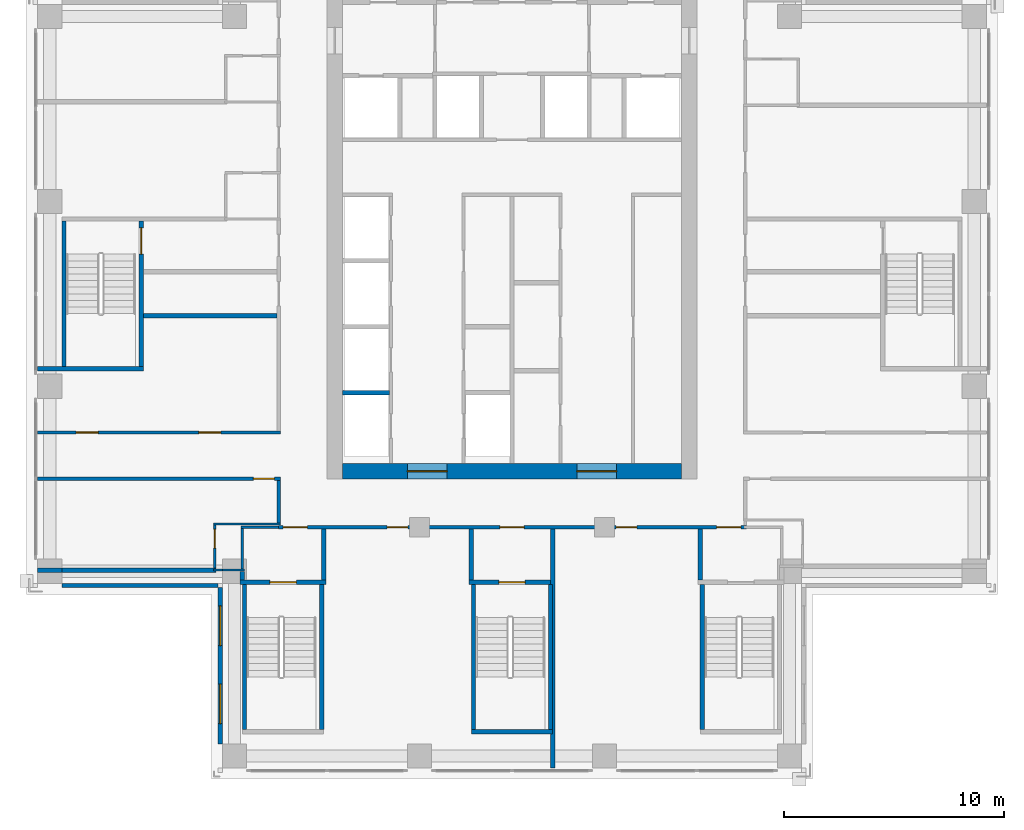
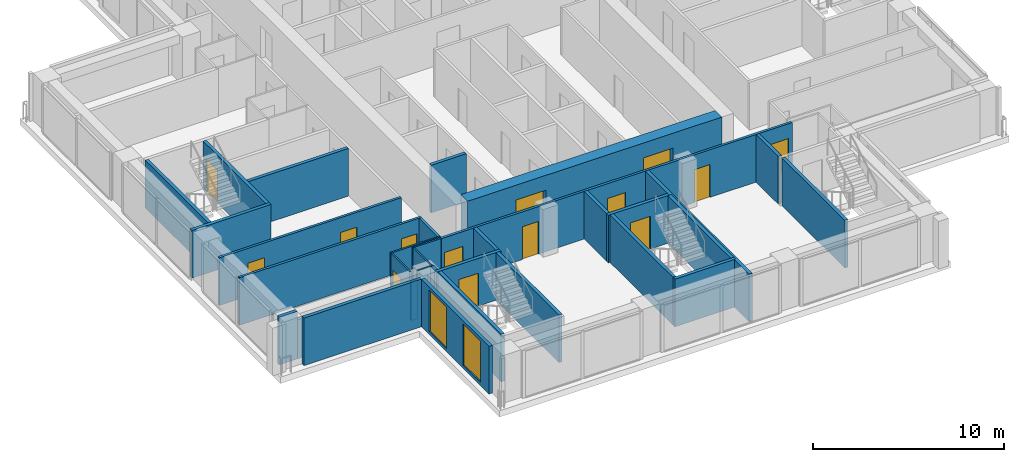
# One storey, part 9 of 16: 33 walls, 14 doors, 2 windows, 16 openings.
"""IFC4 building model written with IfcOpenShell, lengths in metres."""

from ifc_helpers import new_model, si_unit, direction, frame, frame_2d, origin, place, context, subcontext, project, spatial, rectangle, extrude, material, layer, layer_set, type_object, element, fill, save


model = new_model("IFC4")

# Units and contexts
model_context = context("Model", 3, precision=1e-05, world=origin(), true_north=direction((0.0, 1.0)))
body_context = subcontext(model_context, "Body", "Model", "MODEL_VIEW")
ifc_project = project(units=[si_unit("LENGTHUNIT", "METRE"), si_unit("AREAUNIT", "SQUARE_METRE"), si_unit("VOLUMEUNIT", "CUBIC_METRE"), si_unit("PLANEANGLEUNIT", "RADIAN"), si_unit("MASSUNIT", "GRAM", prefix="KILO")], contexts=[model_context])

# Site, building, storey
site_placement = place(None, origin())
site = spatial("IfcSite", under=ifc_project, at=site_placement, CompositionType="ELEMENT")
building_placement = place(site_placement, origin())
building = spatial("IfcBuilding", under=site, at=building_placement, Name="Vermilion Ogive Tower", CompositionType="ELEMENT")
storey_placement = place(building_placement, frame((0.0, 0.0, 160.699951171875)))
storey = spatial("IfcBuildingStorey", under=building, at=storey_placement, Name="L41", CompositionType="ELEMENT", Elevation=160.699951171875)

# Wall, openings, doors
ifc_material_1 = material(Name="Concrete B60", Category="concrete")
ifc_layer_1 = layer(ifc_material_1, 0.699951171875)
ifc_layer_set_1 = layer_set([ifc_layer_1], Name="Core wall 700 B60")
wall_type_1 = type_object("IfcWallType", Name="Core wall 700 B60", PredefinedType="SHEAR", material=ifc_layer_set_1)
wall_1_placement = place(storey_placement, frame((-7.699951171875, -8.050048828125, -0.39990234375), z_axis=(0.0, 0.0, 1.0), x_axis=(1.0, 0.0, 0.0)))
wall_1 = element("IfcWall", 1, at=wall_1_placement, inside=storey, type_object=wall_type_1, Name="L41-CORE-S", PredefinedType="SHEAR", context=body_context, shape_type="SweptSolid", body=[
    extrude(rectangle(XDim=15.39990234375, YDim=0.699951171875, at=frame_2d((7.699951171875, 0.0))), origin(), (0.0, 0.0, 1.0), 3.449951171875),
])
opening_1_placement = place(wall_1_placement, frame((2.949951171875, 0.0, 0.39990234375)))
opening_1 = element("IfcOpeningElement", 2, at=opening_1_placement, cuts=wall_1, Name="Opening DAH031", PredefinedType="OPENING", context=body_context, shape_type="SweptSolid", body=[
    extrude(rectangle(XDim=1.800048828125, YDim=2.10009765625, at=frame_2d((0.89990234375, 1.050048828125))), frame((0.0, 0.35986328125, 0.0), z_axis=(0.0, -1.0, 0.0), x_axis=(1.0, 0.0, 0.0)), (0.0, 0.0, 1.0), 0.719970703125),
])
opening_2_placement = place(wall_1_placement, frame((10.64990234375, 0.0, 0.39990234375)))
opening_2 = element("IfcOpeningElement", 3, at=opening_2_placement, cuts=wall_1, Name="Opening DAH032", PredefinedType="OPENING", context=body_context, shape_type="SweptSolid", body=[
    extrude(rectangle(XDim=1.800048828125, YDim=2.10009765625, at=frame_2d((0.89990234375, 1.050048828125))), frame((0.0, 0.35986328125, 0.0), z_axis=(0.0, -1.0, 0.0), x_axis=(1.0, 0.0, 0.0)), (0.0, 0.0, 1.0), 0.719970703125),
])
ifc_material_2 = material(Name="Timber door leaf", Category="wood")
door_type_1 = type_object("IfcDoorType", Name="Core entry door 1800 x 2100 FD60S", OperationType="DOUBLE_DOOR_SINGLE_SWING", PredefinedType="DOOR", material=ifc_material_2)
door_1_placement = place(opening_1_placement, origin())
door_1 = element("IfcDoor", 4, at=door_1_placement, inside=storey, type_object=door_type_1, Name="L41-CK-XD1", OperationType="SINGLE_SWING_LEFT", OverallHeight=2.10009765625, OverallWidth=1.800048828125, PredefinedType="DOOR", context=body_context, shape_type="SweptSolid", body=[
    extrude(rectangle(XDim=1.800048828125, YDim=2.10009765625, at=frame_2d((0.89990234375, 1.050048828125))), frame((0.0, 0.02490234375, 0.0), z_axis=(0.0, -1.0, 0.0), x_axis=(1.0, 0.0, 0.0)), (0.0, 0.0, 1.0), 0.050048828125),
])
fill(opening_1, door_1)
door_2_placement = place(opening_2_placement, origin())
door_2 = element("IfcDoor", 5, at=door_2_placement, inside=storey, type_object=door_type_1, Name="L41-CK-XD2", OperationType="SINGLE_SWING_LEFT", OverallHeight=2.10009765625, OverallWidth=1.800048828125, PredefinedType="DOOR", context=body_context, shape_type="SweptSolid", body=[
    extrude(rectangle(XDim=1.800048828125, YDim=2.10009765625, at=frame_2d((0.89990234375, 1.050048828125))), frame((0.0, 0.02490234375, 0.0), z_axis=(0.0, -1.0, 0.0), x_axis=(1.0, 0.0, 0.0)), (0.0, 0.0, 1.0), 0.050048828125),
])
fill(opening_2, door_2)

# Walls
ifc_material_3 = material(Name="Gypsum board partition on steel studs", Category="steel")
ifc_layer_2 = layer(ifc_material_3, 0.10009765625)
ifc_layer_set_2 = layer_set([ifc_layer_2], Name="Partition 100 bath")
wall_type_2 = type_object("IfcWallType", Name="Partition 100 bath", PredefinedType="PARTITIONING", material=ifc_layer_set_2)
wall_2_placement = place(storey_placement, frame((-13.550048828125, -12.550048828125, 0.0), z_axis=(0.0, 0.0, 1.0), x_axis=(1.0, 0.0, 0.0)))
element("IfcWall", 6, at=wall_2_placement, inside=storey, type_object=wall_type_2, Name="L41-W-W008", PredefinedType="PARTITIONING", context=body_context, shape_type="SweptSolid", body=[
    extrude(rectangle(XDim=0.400146484375, YDim=0.10009765625, at=frame_2d((0.2001953125, 0.0))), origin(), (0.0, 0.0, 1.0), 2.5),
])
wall_3_placement = place(storey_placement, frame((-12.300048828125, -10.60009765625, 0.0), z_axis=(0.0, 0.0, 1.0), x_axis=(1.0, 0.0, 0.0)))
element("IfcWall", 7, at=wall_3_placement, inside=storey, type_object=wall_type_2, Name="L41-W-W011", PredefinedType="PARTITIONING", context=body_context, shape_type="SweptSolid", body=[
    extrude(rectangle(XDim=1.699951171875, YDim=0.10009765625, at=frame_2d((0.85009765625, 0.0))), origin(), (0.0, 0.0, 1.0), 3.050048828125),
])
wall_4_placement = place(storey_placement, frame((-13.550048828125, -10.449951171875, 0.0), z_axis=(0.0, 0.0, 1.0), x_axis=(1.0, 0.0, 0.0)))
element("IfcWall", 8, at=wall_4_placement, inside=storey, type_object=wall_type_2, Name="L41-W-W014", PredefinedType="PARTITIONING", context=body_context, shape_type="SweptSolid", body=[
    extrude(rectangle(XDim=3.025146484375, YDim=0.10009765625, at=frame_2d((1.5126953125, 0.0))), origin(), (0.0, 0.0, 1.0), 3.050048828125),
])

# Wall, opening, door
wall_5_placement = place(storey_placement, frame((-13.5, -12.449951171875, 0.0), z_axis=(0.0, 0.0, 1.0), x_axis=(0.0, 1.0, 0.0)))
wall_5 = element("IfcWall", 9, at=wall_5_placement, inside=storey, type_object=wall_type_2, Name="L41-W-W042", PredefinedType="PARTITIONING", context=body_context, shape_type="SweptSolid", body=[
    extrude(rectangle(XDim=1.949951171875, YDim=0.10009765625, at=frame_2d((0.97509765625, 0.0))), origin(), (0.0, 0.0, 1.0), 3.050048828125),
])
opening_3_placement = place(wall_5_placement, frame((0.89990234375, 0.0, 0.0)))
opening_3 = element("IfcOpeningElement", 10, at=opening_3_placement, cuts=wall_5, Name="Opening D3G4002", PredefinedType="OPENING", context=body_context, shape_type="SweptSolid", body=[
    extrude(rectangle(XDim=0.85009765625, YDim=2.10009765625, at=frame_2d((0.425048828125, 1.050048828125))), frame((0.0, 0.06005859375, 0.0), z_axis=(0.0, -1.0, 0.0), x_axis=(1.0, 0.0, 0.0)), (0.0, 0.0, 1.0), 0.1201171875),
])
ifc_material_4 = material(Name="Timber door leaf", Category="wood")
door_type_2 = type_object("IfcDoorType", Name="Bath door 850 x 2100 FD30", OperationType="SINGLE_SWING_LEFT", PredefinedType="DOOR", material=ifc_material_4)
door_3_placement = place(opening_3_placement, origin())
door_3 = element("IfcDoor", 11, at=door_3_placement, inside=storey, type_object=door_type_2, Name="L41-D-D002", OperationType="SINGLE_SWING_RIGHT", OverallHeight=2.10009765625, OverallWidth=0.85009765625, PredefinedType="DOOR", context=body_context, shape_type="SweptSolid", body=[
    extrude(rectangle(XDim=0.85009765625, YDim=2.10009765625, at=frame_2d((0.425048828125, 1.050048828125))), frame((0.0, 0.02490234375, 0.0), z_axis=(0.0, -1.0, 0.0), x_axis=(1.0, 0.0, 0.0)), (0.0, 0.0, 1.0), 0.050048828125),
])
fill(opening_3, door_3)

# Walls
wall_6_placement = place(storey_placement, frame((-12.25, -12.5, 0.0), z_axis=(0.0, 0.0, 1.0), x_axis=(0.0, 1.0, 0.0)))
element("IfcWall", 12, at=wall_6_placement, inside=storey, type_object=wall_type_2, Name="L41-W-W046", PredefinedType="PARTITIONING", context=body_context, shape_type="SweptSolid", body=[
    extrude(rectangle(XDim=1.85009765625, YDim=0.10009765625, at=frame_2d((0.925048828125, 0.0))), origin(), (0.0, 0.0, 1.0), 3.050048828125),
])
wall_7_placement = place(storey_placement, frame((-13.14990234375, -12.550048828125, 0.0), z_axis=(0.0, 0.0, 1.0), x_axis=(1.0, 0.0, 0.0)))
element("IfcWall", 13, at=wall_7_placement, inside=storey, type_object=wall_type_2, Name="L41-W-W008-h1", PredefinedType="PARTITIONING", context=body_context, shape_type="SweptSolid", body=[
    extrude(rectangle(XDim=0.997802734375, YDim=0.10009765625, at=frame_2d((0.4990234375, 0.0))), origin(), (0.0, 0.0, 1.0), 3.050048828125),
])

# Wall, openings, doors
ifc_material_5 = material(Name="Gypsum board partition on steel studs", Category="steel")
ifc_layer_3 = layer(ifc_material_5, 0.14990234375)
ifc_layer_set_3 = layer_set([ifc_layer_3], Name="Partition 150 corridor")
wall_type_3 = type_object("IfcWallType", Name="Partition 150 corridor", PredefinedType="PARTITIONING", material=ifc_layer_set_3)
wall_8_placement = place(storey_placement, frame((-10.60009765625, -10.60009765625, 0.0), z_axis=(0.0, 0.0, 1.0), x_axis=(1.0, 0.0, 0.0)))
wall_8 = element("IfcWall", 14, at=wall_8_placement, inside=storey, type_object=wall_type_3, Name="L41-W-W012", PredefinedType="PARTITIONING", context=body_context, shape_type="SweptSolid", body=[
    extrude(rectangle(XDim=21.25, YDim=0.14990234375, at=frame_2d((10.625, 0.0))), origin(), (0.0, 0.0, 1.0), 3.050048828125),
])
opening_4_placement = place(wall_8_placement, frame((4.925048828125, 0.0, 0.0)))
opening_4 = element("IfcOpeningElement", 15, at=opening_4_placement, cuts=wall_8, Name="Opening D3G4009", PredefinedType="OPENING", context=body_context, shape_type="SweptSolid", body=[
    extrude(rectangle(XDim=0.949951171875, YDim=2.10009765625, at=frame_2d((0.47509765625, 1.050048828125))), frame((0.0, 0.0849609375, 0.0), z_axis=(0.0, -1.0, 0.0), x_axis=(1.0, 0.0, 0.0)), (0.0, 0.0, 1.0), 0.169921875),
])
opening_5_placement = place(wall_8_placement, frame((15.3251953125, 0.0, 0.0)))
opening_5 = element("IfcOpeningElement", 16, at=opening_5_placement, cuts=wall_8, Name="Opening D3G4010", PredefinedType="OPENING", context=body_context, shape_type="SweptSolid", body=[
    extrude(rectangle(XDim=0.949951171875, YDim=2.10009765625, at=frame_2d((0.47509765625, 1.050048828125))), frame((0.0, 0.0849609375, 0.0), z_axis=(0.0, -1.0, 0.0), x_axis=(1.0, 0.0, 0.0)), (0.0, 0.0, 1.0), 0.169921875),
])
opening_6_placement = place(wall_8_placement, frame((0.2001953125, 0.0, 0.0)))
opening_6 = element("IfcOpeningElement", 17, at=opening_6_placement, cuts=wall_8, Name="Opening D3G4018", PredefinedType="OPENING", context=body_context, shape_type="SweptSolid", body=[
    extrude(rectangle(XDim=1.10009765625, YDim=2.10009765625, at=frame_2d((0.550048828125, 1.050048828125))), frame((0.0, 0.0849609375, 0.0), z_axis=(0.0, -1.0, 0.0), x_axis=(1.0, 0.0, 0.0)), (0.0, 0.0, 1.0), 0.169921875),
])
opening_7_placement = place(wall_8_placement, frame((10.050048828125, 0.0, 0.0)))
opening_7 = element("IfcOpeningElement", 18, at=opening_7_placement, cuts=wall_8, Name="Opening D3G4020", PredefinedType="OPENING", context=body_context, shape_type="SweptSolid", body=[
    extrude(rectangle(XDim=1.10009765625, YDim=2.10009765625, at=frame_2d((0.550048828125, 1.050048828125))), frame((0.0, 0.0849609375, 0.0), z_axis=(0.0, -1.0, 0.0), x_axis=(1.0, 0.0, 0.0)), (0.0, 0.0, 1.0), 0.169921875),
])
opening_8_placement = place(wall_8_placement, frame((19.900146484375, 0.0, 0.0)))
opening_8 = element("IfcOpeningElement", 19, at=opening_8_placement, cuts=wall_8, Name="Opening D3G4022", PredefinedType="OPENING", context=body_context, shape_type="SweptSolid", body=[
    extrude(rectangle(XDim=1.10009765625, YDim=2.10009765625, at=frame_2d((0.550048828125, 1.050048828125))), frame((0.0, 0.0849609375, 0.0), z_axis=(0.0, -1.0, 0.0), x_axis=(1.0, 0.0, 0.0)), (0.0, 0.0, 1.0), 0.169921875),
])
ifc_material_6 = material(Name="Timber door leaf", Category="wood")
door_type_3 = type_object("IfcDoorType", Name="Stair door 1100 x 2100 FD60S", OperationType="SINGLE_SWING_LEFT", PredefinedType="DOOR", material=ifc_material_6)
door_4_placement = place(opening_6_placement, origin())
door_4 = element("IfcDoor", 20, at=door_4_placement, inside=storey, type_object=door_type_3, Name="L41-D-D018", OperationType="SINGLE_SWING_RIGHT", OverallHeight=2.10009765625, OverallWidth=1.10009765625, PredefinedType="DOOR", context=body_context, shape_type="SweptSolid", body=[
    extrude(rectangle(XDim=1.10009765625, YDim=2.10009765625, at=frame_2d((0.550048828125, 1.050048828125))), frame((0.0, 0.02490234375, 0.0), z_axis=(0.0, -1.0, 0.0), x_axis=(1.0, 0.0, 0.0)), (0.0, 0.0, 1.0), 0.050048828125),
])
fill(opening_6, door_4)
door_5_placement = place(opening_7_placement, origin())
door_5 = element("IfcDoor", 21, at=door_5_placement, inside=storey, type_object=door_type_3, Name="L41-D-D020", OperationType="SINGLE_SWING_LEFT", OverallHeight=2.10009765625, OverallWidth=1.10009765625, PredefinedType="DOOR", context=body_context, shape_type="SweptSolid", body=[
    extrude(rectangle(XDim=1.10009765625, YDim=2.10009765625, at=frame_2d((0.550048828125, 1.050048828125))), frame((0.0, 0.02490234375, 0.0), z_axis=(0.0, -1.0, 0.0), x_axis=(1.0, 0.0, 0.0)), (0.0, 0.0, 1.0), 0.050048828125),
])
fill(opening_7, door_5)
door_6_placement = place(opening_8_placement, origin())
door_6 = element("IfcDoor", 22, at=door_6_placement, inside=storey, type_object=door_type_3, Name="L41-D-D022", OperationType="SINGLE_SWING_LEFT", OverallHeight=2.10009765625, OverallWidth=1.10009765625, PredefinedType="DOOR", context=body_context, shape_type="SweptSolid", body=[
    extrude(rectangle(XDim=1.10009765625, YDim=2.10009765625, at=frame_2d((0.550048828125, 1.050048828125))), frame((0.0, 0.02490234375, 0.0), z_axis=(0.0, -1.0, 0.0), x_axis=(1.0, 0.0, 0.0)), (0.0, 0.0, 1.0), 0.050048828125),
])
fill(opening_8, door_6)
ifc_material_7 = material(Name="Timber door leaf", Category="wood")
door_type_4 = type_object("IfcDoorType", Name="Unit door 950 x 2100 FD30S", OperationType="SINGLE_SWING_LEFT", PredefinedType="DOOR", material=ifc_material_7)
door_7_placement = place(opening_4_placement, origin())
door_7 = element("IfcDoor", 23, at=door_7_placement, inside=storey, type_object=door_type_4, Name="L41-D-D009", OperationType="SINGLE_SWING_LEFT", OverallHeight=2.10009765625, OverallWidth=0.949951171875, PredefinedType="DOOR", context=body_context, shape_type="SweptSolid", body=[
    extrude(rectangle(XDim=0.949951171875, YDim=2.10009765625, at=frame_2d((0.47509765625, 1.050048828125))), frame((0.0, 0.02490234375, 0.0), z_axis=(0.0, -1.0, 0.0), x_axis=(1.0, 0.0, 0.0)), (0.0, 0.0, 1.0), 0.050048828125),
])
fill(opening_4, door_7)
door_8_placement = place(opening_5_placement, origin())
door_8 = element("IfcDoor", 24, at=door_8_placement, inside=storey, type_object=door_type_4, Name="L41-D-D010", OperationType="SINGLE_SWING_LEFT", OverallHeight=2.10009765625, OverallWidth=0.949951171875, PredefinedType="DOOR", context=body_context, shape_type="SweptSolid", body=[
    extrude(rectangle(XDim=0.949951171875, YDim=2.10009765625, at=frame_2d((0.47509765625, 1.050048828125))), frame((0.0, 0.02490234375, 0.0), z_axis=(0.0, -1.0, 0.0), x_axis=(1.0, 0.0, 0.0)), (0.0, 0.0, 1.0), 0.050048828125),
])
fill(opening_5, door_8)

# Wall, opening, door
wall_9_placement = place(storey_placement, frame((-21.550048828125, -8.39990234375, 0.0), z_axis=(0.0, 0.0, 1.0), x_axis=(1.0, 0.0, 0.0)))
wall_9 = element("IfcWall", 25, at=wall_9_placement, inside=storey, type_object=wall_type_3, Name="L41-W-W016", PredefinedType="PARTITIONING", context=body_context, shape_type="SweptSolid", body=[
    extrude(rectangle(XDim=11.025146484375, YDim=0.14990234375, at=frame_2d((5.5126953125, 0.0))), origin(), (0.0, 0.0, 1.0), 3.050048828125),
])
opening_9_placement = place(wall_9_placement, frame((9.800048828125, 0.0, 0.0)))
opening_9 = element("IfcOpeningElement", 26, at=opening_9_placement, cuts=wall_9, Name="Opening D3G4001", PredefinedType="OPENING", context=body_context, shape_type="SweptSolid", body=[
    extrude(rectangle(XDim=0.949951171875, YDim=2.10009765625, at=frame_2d((0.47509765625, 1.050048828125))), frame((0.0, 0.0849609375, 0.0), z_axis=(0.0, -1.0, 0.0), x_axis=(1.0, 0.0, 0.0)), (0.0, 0.0, 1.0), 0.169921875),
])
door_9_placement = place(opening_9_placement, origin())
door_9 = element("IfcDoor", 27, at=door_9_placement, inside=storey, type_object=door_type_4, Name="L41-D-D001", OperationType="SINGLE_SWING_RIGHT", OverallHeight=2.10009765625, OverallWidth=0.949951171875, PredefinedType="DOOR", context=body_context, shape_type="SweptSolid", body=[
    extrude(rectangle(XDim=0.949951171875, YDim=2.10009765625, at=frame_2d((0.47509765625, 1.050048828125))), frame((0.0, 0.02490234375, 0.0), z_axis=(0.0, -1.0, 0.0), x_axis=(1.0, 0.0, 0.0)), (0.0, 0.0, 1.0), 0.050048828125),
])
fill(opening_9, door_9)

# Wall, openings, doors
wall_10_placement = place(storey_placement, frame((-21.550048828125, -6.300048828125, 0.0), z_axis=(0.0, 0.0, 1.0), x_axis=(1.0, 0.0, 0.0)))
wall_10 = element("IfcWall", 28, at=wall_10_placement, inside=storey, type_object=wall_type_3, Name="L41-W-W018", PredefinedType="PARTITIONING", context=body_context, shape_type="SweptSolid", body=[
    extrude(rectangle(XDim=11.025146484375, YDim=0.14990234375, at=frame_2d((5.5126953125, 0.0))), origin(), (0.0, 0.0, 1.0), 3.050048828125),
])
opening_10_placement = place(wall_10_placement, frame((1.74951171875, 0.0, 0.0)))
opening_10 = element("IfcOpeningElement", 29, at=opening_10_placement, cuts=wall_10, Name="Opening D3G4028", PredefinedType="OPENING", context=body_context, shape_type="SweptSolid", body=[
    extrude(rectangle(XDim=1.0, YDim=2.10009765625, at=frame_2d((0.5, 1.050048828125))), frame((0.0, 0.0849609375, 0.0), z_axis=(0.0, -1.0, 0.0), x_axis=(1.0, 0.0, 0.0)), (0.0, 0.0, 1.0), 0.169921875),
])
opening_11_placement = place(wall_10_placement, frame((7.324951171875, 0.0, 0.0)))
opening_11 = element("IfcOpeningElement", 30, at=opening_11_placement, cuts=wall_10, Name="Opening D3G4029", PredefinedType="OPENING", context=body_context, shape_type="SweptSolid", body=[
    extrude(rectangle(XDim=1.0, YDim=2.10009765625, at=frame_2d((0.5, 1.050048828125))), frame((0.0, 0.0849609375, 0.0), z_axis=(0.0, -1.0, 0.0), x_axis=(1.0, 0.0, 0.0)), (0.0, 0.0, 1.0), 0.169921875),
])
ifc_material_8 = material(Name="Timber door leaf", Category="wood")
door_type_5 = type_object("IfcDoorType", Name="Unit door 1000 x 2100 FD30S", OperationType="SINGLE_SWING_LEFT", PredefinedType="DOOR", material=ifc_material_8)
door_10_placement = place(opening_10_placement, origin())
door_10 = element("IfcDoor", 31, at=door_10_placement, inside=storey, type_object=door_type_5, Name="L41-D-D028", OperationType="SINGLE_SWING_RIGHT", OverallHeight=2.10009765625, OverallWidth=1.0, PredefinedType="DOOR", context=body_context, shape_type="SweptSolid", body=[
    extrude(rectangle(XDim=1.0, YDim=2.10009765625, at=frame_2d((0.5, 1.050048828125))), frame((0.0, 0.02490234375, 0.0), z_axis=(0.0, -1.0, 0.0), x_axis=(1.0, 0.0, 0.0)), (0.0, 0.0, 1.0), 0.050048828125),
])
fill(opening_10, door_10)
door_11_placement = place(opening_11_placement, origin())
door_11 = element("IfcDoor", 32, at=door_11_placement, inside=storey, type_object=door_type_5, Name="L41-D-D029", OperationType="SINGLE_SWING_LEFT", OverallHeight=2.10009765625, OverallWidth=1.0, PredefinedType="DOOR", context=body_context, shape_type="SweptSolid", body=[
    extrude(rectangle(XDim=1.0, YDim=2.10009765625, at=frame_2d((0.5, 1.050048828125))), frame((0.0, 0.02490234375, 0.0), z_axis=(0.0, -1.0, 0.0), x_axis=(1.0, 0.0, 0.0)), (0.0, 0.0, 1.0), 0.050048828125),
])
fill(opening_11, door_11)

# Walls
wall_11_placement = place(storey_placement, frame((-10.60009765625, -10.39990234375, 0.0), z_axis=(0.0, 0.0, 1.0), x_axis=(0.0, 1.0, 0.0)))
element("IfcWall", 33, at=wall_11_placement, inside=storey, type_object=wall_type_3, Name="L41-W-W048", PredefinedType="PARTITIONING", context=body_context, shape_type="SweptSolid", body=[
    extrude(rectangle(XDim=1.9248046875, YDim=0.14990234375, at=frame_2d((0.96240234375, 0.0))), origin(), (0.0, 0.0, 1.0), 3.050048828125),
])
ifc_material_9 = material(Name="Gypsum board partition on steel studs", Category="steel")
ifc_layer_4 = layer(ifc_material_9, 0.199951171875)
ifc_layer_set_4 = layer_set([ifc_layer_4], Name="Partition 200 party")
wall_type_4 = type_object("IfcWallType", Name="Partition 200 party", PredefinedType="PARTITIONING", material=ifc_layer_set_4)
wall_12_placement = place(storey_placement, frame((-21.550048828125, -12.550048828125, 0.0), z_axis=(0.0, 0.0, 1.0), x_axis=(1.0, 0.0, 0.0)))
element("IfcWall", 34, at=wall_12_placement, inside=storey, type_object=wall_type_4, Name="L41-W-W007", PredefinedType="PARTITIONING", context=body_context, shape_type="SweptSolid", body=[
    extrude(rectangle(XDim=1.10009765625, YDim=0.199951171875, at=frame_2d((0.550048828125, 0.0))), origin(), (0.0, 0.0, 1.0), 3.050048828125),
])
wall_13_placement = place(storey_placement, frame((-16.75, -1.0, 0.0), z_axis=(0.0, 0.0, 1.0), x_axis=(1.0, 0.0, 0.0)))
element("IfcWall", 35, at=wall_13_placement, inside=storey, type_object=wall_type_4, Name="L41-W-W022", PredefinedType="PARTITIONING", context=body_context, shape_type="SweptSolid", body=[
    extrude(rectangle(XDim=6.074951171875, YDim=0.199951171875, at=frame_2d((3.03759765625, 0.0))), origin(), (0.0, 0.0, 1.0), 3.050048828125),
])
wall_14_placement = place(storey_placement, frame((-12.25, -12.998046875, 0.0), z_axis=(0.0, 0.0, 1.0), x_axis=(0.0, 1.0, 0.0)))
element("IfcWall", 36, at=wall_14_placement, inside=storey, type_object=wall_type_4, Name="L41-W-W045", PredefinedType="PARTITIONING", context=body_context, shape_type="SweptSolid", body=[
    extrude(rectangle(XDim=0.39599609375, YDim=0.199951171875, at=frame_2d((0.197998046875, 0.0))), origin(), (0.0, 0.0, 1.0), 3.050048828125),
])
for number, where, z_axis, x_axis, name in (
    (37, (-8.550048828125, -12.998046875, 0.0), (0.0, 0.0, 1.0), (0.0, 1.0, 0.0), "L41-W-W055"),
    (38, (-1.85009765625, -12.998046875, 0.0), (0.0, 0.0, 1.0), (0.0, 1.0, 0.0), "L41-W-W056"),
    (39, (8.550048828125, -12.998046875, 0.0), (0.0, 0.0, 1.0), (0.0, 1.0, 0.0), "L41-W-W060"),
):
    element("IfcWall", number, at=place(storey_placement, frame(where, z_axis=z_axis, x_axis=x_axis)), inside=storey, type_object=wall_type_4, Name=name, PredefinedType="PARTITIONING", context=body_context, shape_type="SweptSolid", body=[
        extrude(rectangle(XDim=2.322998046875, YDim=0.199951171875, at=frame_2d((1.16162109375, 0.0))), origin(), (0.0, 0.0, 1.0), 3.050048828125),
    ])
wall_15_placement = place(storey_placement, frame((-7.698974609375, -4.5, 0.0), z_axis=(0.0, 0.0, 1.0), x_axis=(1.0, 0.0, 0.0)))
element("IfcWall", 40, at=wall_15_placement, inside=storey, type_object=wall_type_4, Name="L41-CK-W-W001", PredefinedType="PARTITIONING", context=body_context, shape_type="SweptSolid", body=[
    extrude(rectangle(XDim=2.1240234375, YDim=0.199951171875, at=frame_2d((1.06201171875, 0.0))), origin(), (0.0, 0.0, 1.0), 3.050048828125),
])
wall_16_placement = place(storey_placement, frame((-20.449951171875, -12.550048828125, 0.0), z_axis=(0.0, 0.0, 1.0), x_axis=(1.0, 0.0, 0.0)))
element("IfcWall", 41, at=wall_16_placement, inside=storey, type_object=wall_type_4, Name="L41-W-W007-h1", PredefinedType="PARTITIONING", context=body_context, shape_type="SweptSolid", body=[
    extrude(rectangle(XDim=7.0, YDim=0.199951171875, at=frame_2d((3.5, 0.0))), origin(), (0.0, 0.0, 1.0), 2.5),
])
ifc_material_10 = material(Name="Concrete B60", Category="concrete")
ifc_layer_5 = layer(ifc_material_10, 0.199951171875)
ifc_layer_set_5 = layer_set([ifc_layer_5], Name="Stair shaft wall 200 Concrete B60")
wall_type_5 = type_object("IfcWallType", Name="Stair shaft wall 200 Concrete B60", PredefinedType="SOLIDWALL", material=ifc_layer_set_5)
wall_17_placement = place(storey_placement, frame((-1.847900390625, -19.89990234375, 0.0), z_axis=(0.0, 0.0, 1.0), x_axis=(1.0, 0.0, 0.0)))
element("IfcWall", 42, at=wall_17_placement, inside=storey, type_object=wall_type_5, Name="L41-W-W002", PredefinedType="SOLIDWALL", context=body_context, shape_type="SweptSolid", body=[
    extrude(rectangle(XDim=3.69580078125, YDim=0.199951171875, at=frame_2d((1.847900390625, 0.0))), origin(), (0.0, 0.0, 1.0), 3.050048828125),
])

# Wall, opening, door
wall_18_placement = place(storey_placement, frame((-12.347900390625, -13.10009765625, 0.0), z_axis=(0.0, 0.0, 1.0), x_axis=(1.0, 0.0, 0.0)))
wall_18 = element("IfcWall", 43, at=wall_18_placement, inside=storey, type_object=wall_type_5, Name="L41-W-W004", PredefinedType="SOLIDWALL", context=body_context, shape_type="SweptSolid", body=[
    extrude(rectangle(XDim=3.89599609375, YDim=0.199951171875, at=frame_2d((1.947998046875, 0.0))), origin(), (0.0, 0.0, 1.0), 3.050048828125),
])
opening_12_placement = place(wall_18_placement, frame((1.347900390625, 0.0, 0.0)))
opening_12 = element("IfcOpeningElement", 44, at=opening_12_placement, cuts=wall_18, Name="Opening D3G4019", PredefinedType="OPENING", context=body_context, shape_type="SweptSolid", body=[
    extrude(rectangle(XDim=1.199951171875, YDim=2.10009765625, at=frame_2d((0.60009765625, 1.050048828125))), frame((0.0, 0.10986328125, 0.0), z_axis=(0.0, -1.0, 0.0), x_axis=(1.0, 0.0, 0.0)), (0.0, 0.0, 1.0), 0.219970703125),
])
ifc_material_11 = material(Name="Timber door leaf", Category="wood")
door_type_6 = type_object("IfcDoorType", Name="Stair door 1200 x 2100 FD60S", OperationType="SINGLE_SWING_LEFT", PredefinedType="DOOR", material=ifc_material_11)
door_12_placement = place(opening_12_placement, origin())
door_12 = element("IfcDoor", 45, at=door_12_placement, inside=storey, type_object=door_type_6, Name="L41-D-D019", OperationType="SINGLE_SWING_RIGHT", OverallHeight=2.10009765625, OverallWidth=1.199951171875, PredefinedType="DOOR", context=body_context, shape_type="SweptSolid", body=[
    extrude(rectangle(XDim=1.199951171875, YDim=2.10009765625, at=frame_2d((0.60009765625, 1.050048828125))), frame((0.0, 0.02490234375, 0.0), z_axis=(0.0, -1.0, 0.0), x_axis=(1.0, 0.0, 0.0)), (0.0, 0.0, 1.0), 0.050048828125),
])
fill(opening_12, door_12)

wall_19_placement = place(storey_placement, frame((-1.947998046875, -13.10009765625, 0.0), z_axis=(0.0, 0.0, 1.0), x_axis=(1.0, 0.0, 0.0)))
wall_19 = element("IfcWall", 46, at=wall_19_placement, inside=storey, type_object=wall_type_5, Name="L41-W-W005", PredefinedType="SOLIDWALL", context=body_context, shape_type="SweptSolid", body=[
    extrude(rectangle(XDim=3.696044921875, YDim=0.199951171875, at=frame_2d((1.84814453125, 0.0))), origin(), (0.0, 0.0, 1.0), 3.050048828125),
])
opening_13_placement = place(wall_19_placement, frame((1.347900390625, 0.0, 0.0)))
opening_13 = element("IfcOpeningElement", 47, at=opening_13_placement, cuts=wall_19, Name="Opening D3G4021", PredefinedType="OPENING", context=body_context, shape_type="SweptSolid", body=[
    extrude(rectangle(XDim=1.199951171875, YDim=2.10009765625, at=frame_2d((0.60009765625, 1.050048828125))), frame((0.0, 0.10986328125, 0.0), z_axis=(0.0, -1.0, 0.0), x_axis=(1.0, 0.0, 0.0)), (0.0, 0.0, 1.0), 0.219970703125),
])
door_13_placement = place(opening_13_placement, origin())
door_13 = element("IfcDoor", 48, at=door_13_placement, inside=storey, type_object=door_type_6, Name="L41-D-D021", OperationType="SINGLE_SWING_RIGHT", OverallHeight=2.10009765625, OverallWidth=1.199951171875, PredefinedType="DOOR", context=body_context, shape_type="SweptSolid", body=[
    extrude(rectangle(XDim=1.199951171875, YDim=2.10009765625, at=frame_2d((0.60009765625, 1.050048828125))), frame((0.0, 0.02490234375, 0.0), z_axis=(0.0, -1.0, 0.0), x_axis=(1.0, 0.0, 0.0)), (0.0, 0.0, 1.0), 0.050048828125),
])
fill(opening_13, door_13)

# Walls
wall_20_placement = place(storey_placement, frame((-21.550048828125, -3.39990234375, 0.0), z_axis=(0.0, 0.0, 1.0), x_axis=(1.0, 0.0, 0.0)))
element("IfcWall", 49, at=wall_20_placement, inside=storey, type_object=wall_type_5, Name="L41-W-W020", PredefinedType="SOLIDWALL", context=body_context, shape_type="SweptSolid", body=[
    extrude(rectangle(XDim=4.799072265625, YDim=0.199951171875, at=frame_2d((2.3994140625, 0.0))), origin(), (0.0, 0.0, 1.0), 3.050048828125),
])
wall_21_placement = place(storey_placement, frame((-20.35009765625, -3.298095703125, 0.0), z_axis=(0.0, 0.0, 1.0), x_axis=(0.0, 1.0, 0.0)))
element("IfcWall", 50, at=wall_21_placement, inside=storey, type_object=wall_type_5, Name="L41-W-W040", PredefinedType="SOLIDWALL", context=body_context, shape_type="SweptSolid", body=[
    extrude(rectangle(XDim=6.59619140625, YDim=0.199951171875, at=frame_2d((3.298095703125, 0.0))), origin(), (0.0, 0.0, 1.0), 3.050048828125),
])

# Wall, opening, door
wall_22_placement = place(storey_placement, frame((-16.85009765625, -3.300048828125, 0.0), z_axis=(0.0, 0.0, 1.0), x_axis=(0.0, 1.0, 0.0)))
wall_22 = element("IfcWall", 51, at=wall_22_placement, inside=storey, type_object=wall_type_5, Name="L41-W-W041", PredefinedType="SOLIDWALL", context=body_context, shape_type="SweptSolid", body=[
    extrude(rectangle(XDim=6.60009765625, YDim=0.199951171875, at=frame_2d((3.300048828125, 0.0))), origin(), (0.0, 0.0, 1.0), 3.050048828125),
])
opening_14_placement = place(wall_22_placement, frame((5.10009765625, 0.0, 0.0)))
opening_14 = element("IfcOpeningElement", 52, at=opening_14_placement, cuts=wall_22, Name="Opening D3G4027", PredefinedType="OPENING", context=body_context, shape_type="SweptSolid", body=[
    extrude(rectangle(XDim=1.199951171875, YDim=2.10009765625, at=frame_2d((0.60009765625, 1.050048828125))), frame((0.0, 0.10986328125, 0.0), z_axis=(0.0, -1.0, 0.0), x_axis=(1.0, 0.0, 0.0)), (0.0, 0.0, 1.0), 0.219970703125),
])
door_14_placement = place(opening_14_placement, origin())
door_14 = element("IfcDoor", 53, at=door_14_placement, inside=storey, type_object=door_type_6, Name="L41-D-D027", OperationType="SINGLE_SWING_RIGHT", OverallHeight=2.10009765625, OverallWidth=1.199951171875, PredefinedType="DOOR", context=body_context, shape_type="SweptSolid", body=[
    extrude(rectangle(XDim=1.199951171875, YDim=2.10009765625, at=frame_2d((0.60009765625, 1.050048828125))), frame((0.0, 0.02490234375, 0.0), z_axis=(0.0, -1.0, 0.0), x_axis=(1.0, 0.0, 0.0)), (0.0, 0.0, 1.0), 0.050048828125),
])
fill(opening_14, door_14)

# Walls
for number, where, z_axis, x_axis, name in (
    (54, (-12.14990234375, -19.798095703125, 0.0), (0.0, 0.0, 1.0), (0.0, 1.0, 0.0), "L41-W-W047"),
    (55, (-8.64990234375, -19.798095703125, 0.0), (0.0, 0.0, 1.0), (0.0, 1.0, 0.0), "L41-W-W054"),
    (56, (-1.75, -19.798095703125, 0.0), (0.0, 0.0, 1.0), (0.0, 1.0, 0.0), "L41-W-W057"),
    (57, (1.75, -19.798095703125, 0.0), (0.0, 0.0, 1.0), (0.0, 1.0, 0.0), "L41-W-W058"),
    (58, (8.64990234375, -19.798095703125, 0.0), (0.0, 0.0, 1.0), (0.0, 1.0, 0.0), "L41-W-W061"),
):
    element("IfcWall", number, at=place(storey_placement, frame(where, z_axis=z_axis, x_axis=x_axis)), inside=storey, type_object=wall_type_5, Name=name, PredefinedType="SOLIDWALL", context=body_context, shape_type="SweptSolid", body=[
        extrude(rectangle(XDim=6.59619140625, YDim=0.199951171875, at=frame_2d((3.298095703125, 0.0))), origin(), (0.0, 0.0, 1.0), 3.050048828125),
    ])
wall_23_placement = place(storey_placement, frame((1.85009765625, -21.550048828125, 0.0), z_axis=(0.0, 0.0, 1.0), x_axis=(0.0, 1.0, 0.0)))
element("IfcWall", 59, at=wall_23_placement, inside=storey, type_object=wall_type_5, Name="L41-W-W059-A", PredefinedType="SOLIDWALL", context=body_context, shape_type="SweptSolid", body=[
    extrude(rectangle(XDim=10.875, YDim=0.199951171875, at=frame_2d((5.4375, 0.0))), origin(), (0.0, 0.0, 1.0), 3.050048828125),
])
ifc_material_12 = material(Name="Aluminium window wall framing", Category="aluminium")
ifc_layer_6 = layer(ifc_material_12, 0.199951171875)
ifc_layer_set_6 = layer_set([ifc_layer_6], Name="Window wall")
wall_type_6 = type_object("IfcWallType", Name="Window wall", PredefinedType="STANDARD", material=ifc_layer_set_6)
wall_24_placement = place(storey_placement, frame((-20.449951171875, -13.25, 0.0), z_axis=(0.0, 0.0, 1.0), x_axis=(1.0, 0.0, 0.0)))
element("IfcWall", 60, at=wall_24_placement, inside=storey, type_object=wall_type_6, Name="Window wall X71", PredefinedType="STANDARD", context=body_context, shape_type="SweptSolid", body=[
    extrude(rectangle(XDim=7.099853515625, YDim=0.199951171875, at=frame_2d((3.5498046875, 0.0))), origin(), (0.0, 0.0, 1.0), 3.050048828125),
])

# Wall, openings, windows
wall_25_placement = place(storey_placement, frame((-13.25, -13.35009765625, 0.0), z_axis=(0.0, 0.0, 1.0), x_axis=(0.0, -1.0, 0.0)))
wall_25 = element("IfcWall", 61, at=wall_25_placement, inside=storey, type_object=wall_type_6, Name="Window wall X81", PredefinedType="STANDARD", context=body_context, shape_type="SweptSolid", body=[
    extrude(rectangle(XDim=7.099853515625, YDim=0.199951171875, at=frame_2d((3.5498046875, 0.0))), origin(), (0.0, 0.0, 1.0), 3.050048828125),
])
opening_15_placement = place(wall_25_placement, frame((4.375, 0.0, 0.199951171875)))
opening_15 = element("IfcOpeningElement", 62, at=opening_15_placement, cuts=wall_25, Name="Opening W1-X895", PredefinedType="OPENING", context=body_context, shape_type="SweptSolid", body=[
    extrude(rectangle(XDim=1.800048828125, YDim=2.64990234375, at=frame_2d((0.89990234375, 1.324951171875))), frame((0.0, 0.10986328125, 0.0), z_axis=(0.0, -1.0, 0.0), x_axis=(1.0, 0.0, 0.0)), (0.0, 0.0, 1.0), 0.219970703125),
])
opening_16_placement = place(wall_25_placement, frame((0.824951171875, 0.0, 0.199951171875)))
opening_16 = element("IfcOpeningElement", 63, at=opening_16_placement, cuts=wall_25, Name="Opening W1-X896", PredefinedType="OPENING", context=body_context, shape_type="SweptSolid", body=[
    extrude(rectangle(XDim=1.800048828125, YDim=2.64990234375, at=frame_2d((0.89990234375, 1.324951171875))), frame((0.0, 0.10986328125, 0.0), z_axis=(0.0, -1.0, 0.0), x_axis=(1.0, 0.0, 0.0)), (0.0, 0.0, 1.0), 0.219970703125),
])
ifc_material_13 = material(Name="Aluminium framed double glazing", Category="aluminium")
window_type = type_object("IfcWindowType", Name="Guest window W1", PartitioningType="SINGLE_PANEL", PredefinedType="WINDOW", material=ifc_material_13)
window_1_placement = place(opening_15_placement, origin())
window_1 = element("IfcWindow", 64, at=window_1_placement, inside=storey, type_object=window_type, Name="Window X895", OverallHeight=2.64990234375, OverallWidth=1.800048828125, PartitioningType="SINGLE_PANEL", PredefinedType="WINDOW", context=body_context, shape_type="SweptSolid", body=[
    extrude(rectangle(XDim=1.800048828125, YDim=2.64990234375, at=frame_2d((0.89990234375, 1.324951171875))), frame((0.0, 0.030029296875, 0.0), z_axis=(0.0, -1.0, 0.0), x_axis=(1.0, 0.0, 0.0)), (0.0, 0.0, 1.0), 0.06005859375),
])
fill(opening_15, window_1)
window_2_placement = place(opening_16_placement, origin())
window_2 = element("IfcWindow", 65, at=window_2_placement, inside=storey, type_object=window_type, Name="Window X896", OverallHeight=2.64990234375, OverallWidth=1.800048828125, PartitioningType="SINGLE_PANEL", PredefinedType="WINDOW", context=body_context, shape_type="SweptSolid", body=[
    extrude(rectangle(XDim=1.800048828125, YDim=2.64990234375, at=frame_2d((0.89990234375, 1.324951171875))), frame((0.0, 0.030029296875, 0.0), z_axis=(0.0, -1.0, 0.0), x_axis=(1.0, 0.0, 0.0)), (0.0, 0.0, 1.0), 0.06005859375),
])
fill(opening_16, window_2)

save(model, "model.ifc")
